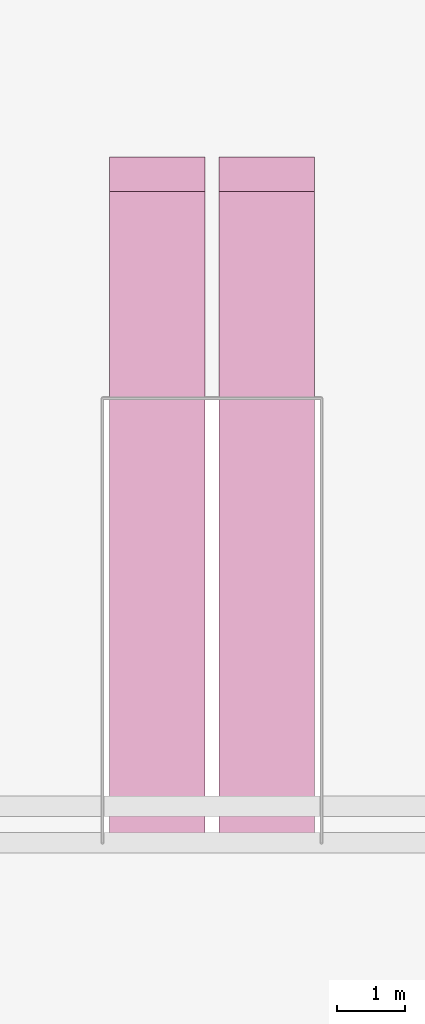
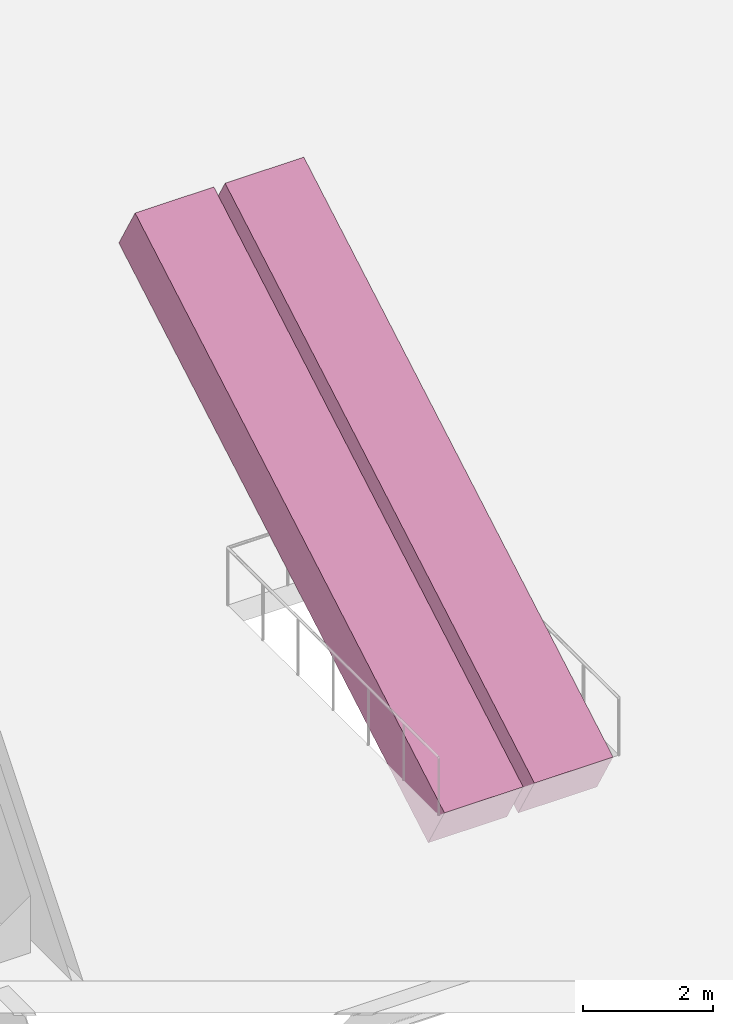
# One storey, part 26 of 26: 2 transport elements.
"""IFC4 building model written with IfcOpenShell, lengths in metres."""

from ifc_helpers import new_model, si_unit, direction, frame, origin, place, context, subcontext, project, spatial, polyline, outline, extrude, material, type_object, element, save


model = new_model("IFC4")

# Units and contexts
model_context = context("Model", 3, precision=1e-05, world=origin(), true_north=direction((0.0, 1.0)))
body_context = subcontext(model_context, "Body", "Model", "MODEL_VIEW")
ifc_project = project(units=[si_unit("LENGTHUNIT", "METRE"), si_unit("AREAUNIT", "SQUARE_METRE"), si_unit("VOLUMEUNIT", "CUBIC_METRE"), si_unit("PLANEANGLEUNIT", "RADIAN"), si_unit("MASSUNIT", "GRAM", prefix="KILO")], contexts=[model_context])

# Site, building, storey
site_placement = place(None, origin())
site = spatial("IfcSite", under=ifc_project, at=site_placement, CompositionType="ELEMENT")
building_placement = place(site_placement, origin())
building = spatial("IfcBuilding", under=site, at=building_placement, Name="Tel Ilan Convention Tower", CompositionType="ELEMENT")
storey_placement = place(building_placement, frame((0.0, 0.0, 32.0)))
storey = spatial("IfcBuildingStorey", under=building, at=storey_placement, Name="L04", CompositionType="ELEMENT", Elevation=32.0)

# Transport elements
ifc_material = material(Name="Stainless Steel Grade 316", Category="steel")
transport_element_type = type_object("IfcTransportElementType", Name="Escalator 1000 mm 30 degree", PredefinedType="ESCALATOR", material=ifc_material)
for number, where, z_axis, x_axis, name in (
    (1, (-1.5, -48.535888671875, 0.0), (0.0, -0.499996545922, 0.866027397988), (1.0, 0.0, 0.0), "Escalator L04 to L05 up"),
    (2, (0.10009765625, -48.535888671875, 0.0), (0.0, -0.499996545922, 0.866027397988), (1.0, 0.0, 0.0), "Escalator L04 to L05 down"),
):
    element("IfcTransportElement", number, at=place(storey_placement, frame(where, z_axis=z_axis, x_axis=x_axis)), inside=storey, type_object=transport_element_type, Name=name, PredefinedType="ESCALATOR", context=body_context, shape_type="SweptSolid", body=[
        extrude(outline(polyline([(0.0, 0.0), (1.39990234375, 0.0), (1.39990234375, 11.000075990241008), (0.0, 11.000075990241008), (0.0, 0.0)])), origin(), (0.0, 0.0, -1.0), 1.0),
    ])

save(model, "model.ifc")
